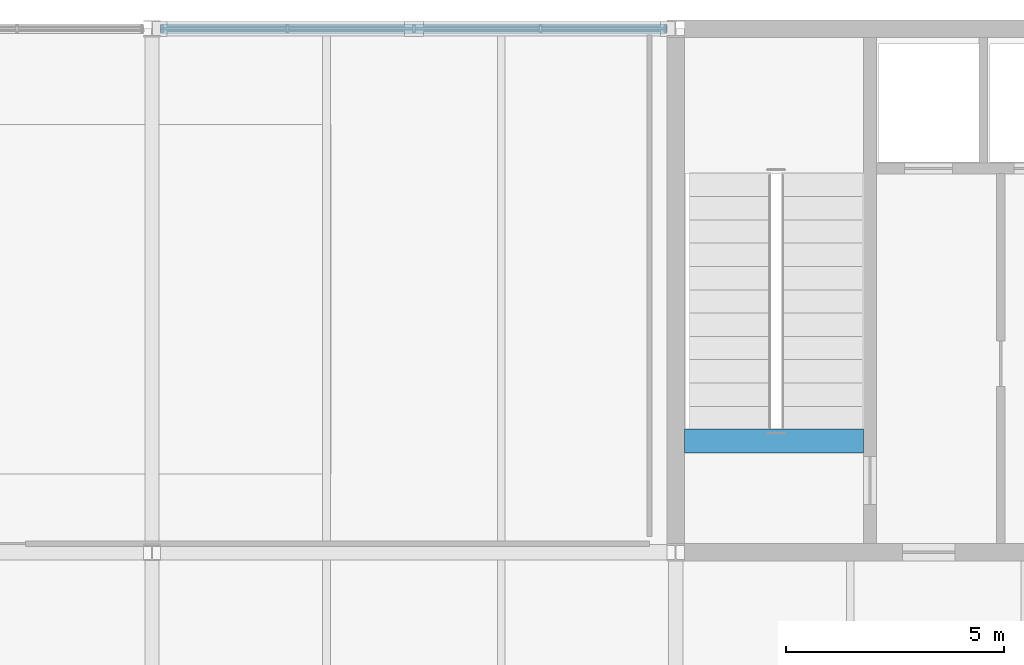
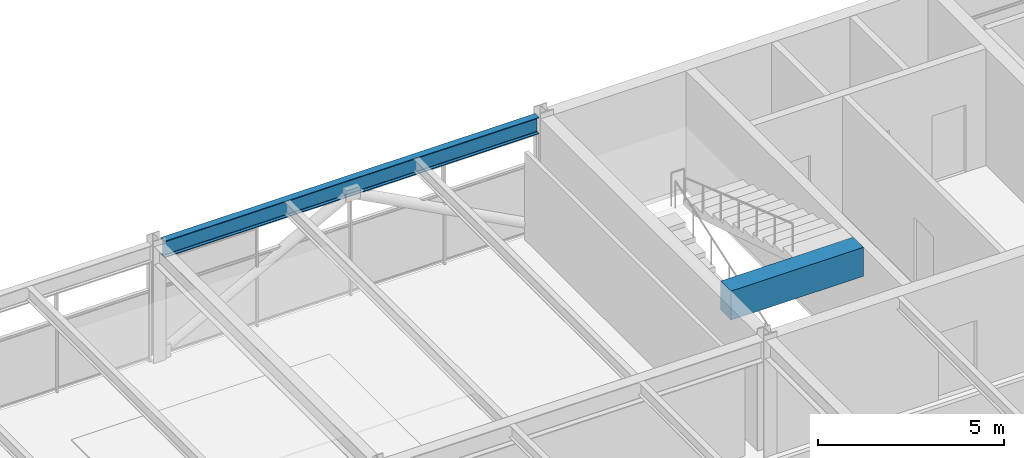
# One storey, part 20 of 51: 2 beams.
"""IFC4 building model written with IfcOpenShell, lengths in metres."""

from ifc_helpers import new_model, si_unit, direction, frame, origin, origin_2d, place, context, subcontext, project, spatial, rectangle, i_section, extrude, material, material_profile, profile_set, type_object, element, save


model = new_model("IFC4")

# Units and contexts
model_context = context("Model", 3, precision=1e-05, world=origin(), true_north=direction((0.0, 1.0)))
body_context = subcontext(model_context, "Body", "Model", "MODEL_VIEW")
ifc_project = project(units=[si_unit("LENGTHUNIT", "METRE"), si_unit("AREAUNIT", "SQUARE_METRE"), si_unit("VOLUMEUNIT", "CUBIC_METRE"), si_unit("PLANEANGLEUNIT", "RADIAN"), si_unit("MASSUNIT", "GRAM", prefix="KILO")], contexts=[model_context])

# Site, building, storey
site_placement = place(None, origin())
site = spatial("IfcSite", under=ifc_project, at=site_placement, CompositionType="ELEMENT")
building_placement = place(site_placement, origin())
building = spatial("IfcBuilding", under=site, at=building_placement, Name="Girod Span Mobility Hub", CompositionType="ELEMENT")
storey_placement = place(building_placement, frame((0.0, 0.0, 41.60009765625)))
storey = spatial("IfcBuildingStorey", under=building, at=storey_placement, Name="L10", CompositionType="ELEMENT", Elevation=41.60009765625)

# Beams
ifc_material_1 = material(Name="Concrete C40/50", Category="concrete")
ifc_material_profile_1 = material_profile(ifc_material_1, rectangle(XDim=0.550048828125, YDim=0.949951171875, at=origin_2d()), Name="RK-550X950")
ifc_profile_set_1 = profile_set([ifc_material_profile_1], Name="Concrete C40/50")
beam_type_1 = type_object("IfcBeamType", Name="BM-RK-550X950", PredefinedType="BEAM", material=ifc_profile_set_1)
beam_1_placement = place(storey_placement, frame((48.197021484375, 59.550048828125, 3.349853515625), z_axis=(1.0, 0.0, 0.0), x_axis=(0.0, 1.0, 0.0)))
element("IfcBeam", 1, at=beam_1_placement, inside=storey, type_object=beam_type_1, Name="Stair ST-1 Landing Header Beam L10", PredefinedType="BEAM", context=body_context, shape_type="SweptSolid", body=[
    extrude(rectangle(XDim=0.550048828125, YDim=0.949951171875, at=origin_2d()), origin(), (0.0, 0.0, 1.0), 4.10595703125),
])
ifc_material_2 = material(Name="Steel A992 Grade 50", Category="steel")
ifc_material_profile_2 = material_profile(ifc_material_2, i_section(OverallWidth=0.2119140625, OverallDepth=0.5439453125, WebThickness=0.01318359375, FlangeThickness=0.021240234375, FilletRadius=0.014892578125, at=origin_2d()), Name="W21X83")
ifc_profile_set_2 = profile_set([ifc_material_profile_2], Name="Steel A992 Grade 50")
beam_type_2 = type_object("IfcBeamType", Name="BM-STL-W21X83", PredefinedType="SPANDREL", material=ifc_profile_set_2)
beam_2_placement = place(storey_placement, frame((36.194091796875, 69.0, 3.552978515625), z_axis=(1.0, 0.0, 0.0), x_axis=(0.0, 1.0, 0.0)))
element("IfcBeam", 2, at=beam_2_placement, inside=storey, type_object=beam_type_2, Name="Girder 4-5/F L10", PredefinedType="SPANDREL", context=body_context, shape_type="SweptSolid", body=[
    extrude(i_section(OverallWidth=0.2119140625, OverallDepth=0.5439453125, WebThickness=0.01318359375, FlangeThickness=0.021240234375, FilletRadius=0.014892578125, at=origin_2d()), origin(), (0.0, 0.0, 1.0), 11.609375),
])

save(model, "model.ifc")
